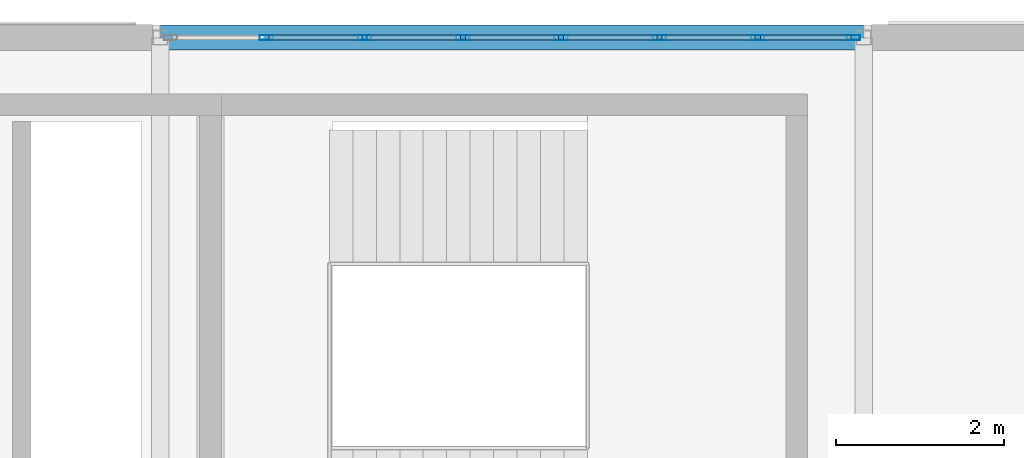
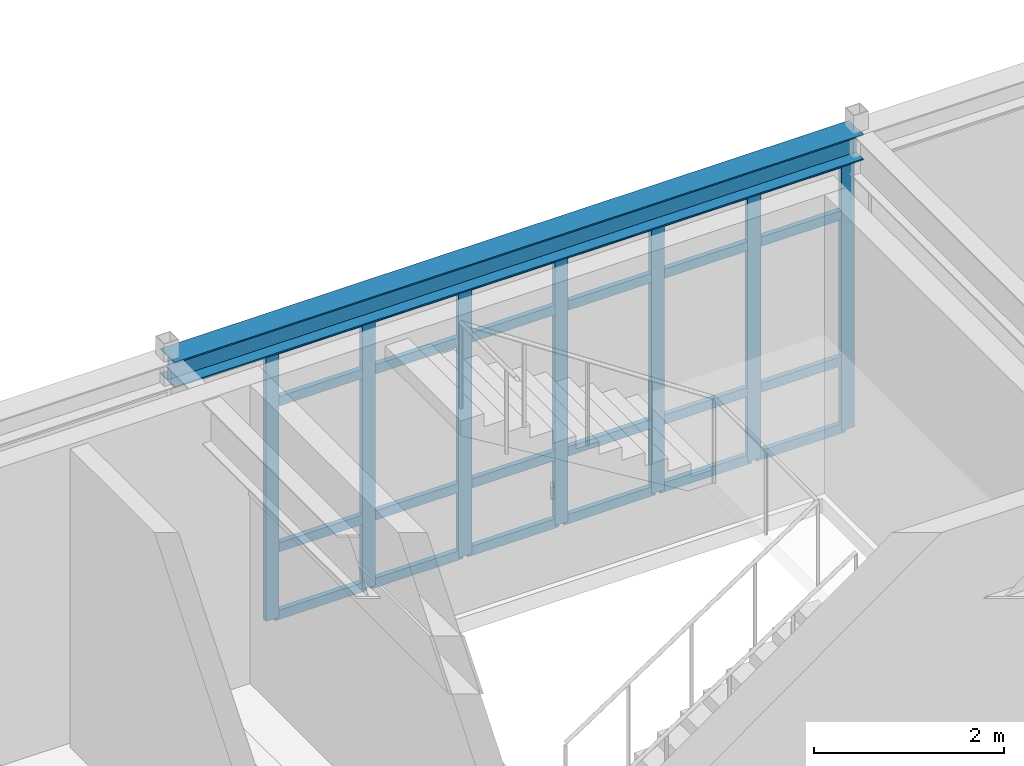
# One storey, part 27 of 65: 31 members, 1 beam, 1 element without a shape of its own.
"""IFC4 building model written with IfcOpenShell, lengths in metres."""

from ifc_helpers import new_model, si_unit, direction, frame, origin, origin_2d, place, context, subcontext, project, spatial, hollow_rectangle, i_section, extrude, material, layer, layer_set, material_profile, profile_set, type_object, element, aggregate, save


model = new_model("IFC4")

# Units and contexts
model_context = context("Model", 3, precision=1e-05, world=origin(), true_north=direction((0.0, 1.0)))
body_context = subcontext(model_context, "Body", "Model", "MODEL_VIEW")
ifc_project = project(units=[si_unit("LENGTHUNIT", "METRE"), si_unit("AREAUNIT", "SQUARE_METRE"), si_unit("VOLUMEUNIT", "CUBIC_METRE"), si_unit("PLANEANGLEUNIT", "RADIAN"), si_unit("MASSUNIT", "GRAM", prefix="KILO")], contexts=[model_context])

# Site, building, storey
site_placement = place(None, origin())
site = spatial("IfcSite", under=ifc_project, at=site_placement, CompositionType="ELEMENT")
building_placement = place(site_placement, origin())
building = spatial("IfcBuilding", under=site, at=building_placement, Name="Montecoro Central Library", CompositionType="ELEMENT")
storey_placement = place(building_placement, frame((0.0, 0.0, 17.340087890625)))
storey = spatial("IfcBuildingStorey", under=building, at=storey_placement, Name="L04", CompositionType="ELEMENT", Elevation=17.340087890625)

# Beam
ifc_material_1 = material(Name="Steel S355", Category="steel")
ifc_material_profile_1 = material_profile(ifc_material_1, i_section(OverallWidth=0.300048828125, OverallDepth=0.330078125, WebThickness=0.009521484375, FlangeThickness=0.0166015625, at=origin_2d()), Name="HEA 340")
ifc_profile_set_1 = profile_set([ifc_material_profile_1], Name="Steel S355")
beam_type = type_object("IfcBeamType", Name="BM-SP-HEA340", PredefinedType="SPANDREL", material=ifc_profile_set_1)
beam_placement = place(storey_placement, frame((100.0048828125, 119.0, 3.659912109375), z_axis=(1.0, 0.0, 0.0), x_axis=(0.0, 1.0, 0.0)))
element("IfcBeam", 1, at=beam_placement, inside=storey, type_object=beam_type, Name="V2-L04-BX-1314-R", PredefinedType="SPANDREL", context=body_context, shape_type="SweptSolid", body=[
    extrude(i_section(OverallWidth=0.300048828125, OverallDepth=0.330078125, WebThickness=0.009521484375, FlangeThickness=0.0166015625, at=origin_2d()), origin(), (0.0, 0.0, 1.0), 8.39013671875),
])

# Curtain wall, members
ifc_material_2 = material(Name="Bronze-anodised aluminium and low-E glazing", Category="aluminium")
ifc_layer = layer(ifc_material_2, 0.159912109375)
ifc_layer_set = layer_set([ifc_layer], Name="Bronze-anodised aluminium and low-E glazing")
curtain_wall_type = type_object("IfcCurtainWallType", Name="CWT-022", PredefinedType="NOTDEFINED", material=ifc_layer_set)
curtain_wall_placement = place(storey_placement, origin())
curtain_wall = element("IfcCurtainWall", 2, at=curtain_wall_placement, inside=storey, type_object=curtain_wall_type, Name="V2-L04-CW-N4", PredefinedType="NOTDEFINED")
ifc_material_3 = material(Name="Bronze-anodised aluminium", Category="aluminium")
ifc_material_profile_2 = material_profile(ifc_material_3, hollow_rectangle(XDim=0.06005859375, YDim=0.159912109375, WallThickness=0.00390625, at=origin_2d()), Name="CWM 160x60x4.0")
ifc_profile_set_2 = profile_set([ifc_material_profile_2], Name="Bronze-anodised aluminium")
member_type_1 = type_object("IfcMemberType", Name="CWM-BRZ-60", PredefinedType="MULLION", material=ifc_profile_set_2)
member_1_placement = place(storey_placement, frame((108.277099609375, 119.0, 0.0), z_axis=(0.0, 0.0, 1.0), x_axis=(0.0, -1.0, 0.0)))
member_1 = element("IfcMember", 3, at=member_1_placement, type_object=member_type_1, Name="CW-022 mullion 1", PredefinedType="MULLION", context=body_context, shape_type="SweptSolid", body=[
    extrude(hollow_rectangle(XDim=0.06005859375, YDim=0.159912109375, WallThickness=0.00390625, at=origin_2d()), origin(), (0.0, 0.0, 1.0), 3.47998046875),
])
member_2_placement = place(storey_placement, frame((107.133544921875, 119.0, 0.0), z_axis=(0.0, 0.0, 1.0), x_axis=(0.0, -1.0, 0.0)))
member_2 = element("IfcMember", 4, at=member_2_placement, type_object=member_type_1, Name="CW-022 mullion 2", PredefinedType="MULLION", context=body_context, shape_type="SweptSolid", body=[
    extrude(hollow_rectangle(XDim=0.06005859375, YDim=0.159912109375, WallThickness=0.00390625, at=origin_2d()), origin(), (0.0, 0.0, 1.0), 3.47998046875),
])
member_3_placement = place(storey_placement, frame((105.960205078125, 119.0, 0.0), z_axis=(0.0, 0.0, 1.0), x_axis=(0.0, -1.0, 0.0)))
member_3 = element("IfcMember", 5, at=member_3_placement, type_object=member_type_1, Name="CW-022 mullion 3", PredefinedType="MULLION", context=body_context, shape_type="SweptSolid", body=[
    extrude(hollow_rectangle(XDim=0.06005859375, YDim=0.159912109375, WallThickness=0.00390625, at=origin_2d()), origin(), (0.0, 0.0, 1.0), 3.47998046875),
])
member_4_placement = place(storey_placement, frame((104.78662109375, 119.0, 0.0), z_axis=(0.0, 0.0, 1.0), x_axis=(0.0, -1.0, 0.0)))
member_4 = element("IfcMember", 6, at=member_4_placement, type_object=member_type_1, Name="CW-022 mullion 4", PredefinedType="MULLION", context=body_context, shape_type="SweptSolid", body=[
    extrude(hollow_rectangle(XDim=0.06005859375, YDim=0.159912109375, WallThickness=0.00390625, at=origin_2d()), origin(), (0.0, 0.0, 1.0), 3.47998046875),
])
member_5_placement = place(storey_placement, frame((103.61328125, 119.0, 0.0), z_axis=(0.0, 0.0, 1.0), x_axis=(0.0, -1.0, 0.0)))
member_5 = element("IfcMember", 7, at=member_5_placement, type_object=member_type_1, Name="CW-022 mullion 5", PredefinedType="MULLION", context=body_context, shape_type="SweptSolid", body=[
    extrude(hollow_rectangle(XDim=0.06005859375, YDim=0.159912109375, WallThickness=0.00390625, at=origin_2d()), origin(), (0.0, 0.0, 1.0), 3.47998046875),
])
member_6_placement = place(storey_placement, frame((102.43994140625, 119.0, 0.0), z_axis=(0.0, 0.0, 1.0), x_axis=(0.0, -1.0, 0.0)))
member_6 = element("IfcMember", 8, at=member_6_placement, type_object=member_type_1, Name="CW-022 mullion 6", PredefinedType="MULLION", context=body_context, shape_type="SweptSolid", body=[
    extrude(hollow_rectangle(XDim=0.06005859375, YDim=0.159912109375, WallThickness=0.00390625, at=origin_2d()), origin(), (0.0, 0.0, 1.0), 3.47998046875),
])
member_7_placement = place(storey_placement, frame((101.266357421875, 119.0, 0.0), z_axis=(0.0, 0.0, 1.0), x_axis=(0.0, -1.0, 0.0)))
member_7 = element("IfcMember", 9, at=member_7_placement, type_object=member_type_1, Name="CW-022 mullion 7", PredefinedType="MULLION", context=body_context, shape_type="SweptSolid", body=[
    extrude(hollow_rectangle(XDim=0.06005859375, YDim=0.159912109375, WallThickness=0.00390625, at=origin_2d()), origin(), (0.0, 0.0, 1.0), 3.47998046875),
])
ifc_material_profile_3 = material_profile(ifc_material_3, hollow_rectangle(XDim=0.06005859375, YDim=0.1201171875, WallThickness=0.00390625, at=origin_2d()), Name="CWT 120x60x4.0")
ifc_profile_set_3 = profile_set([ifc_material_profile_3], Name="Bronze-anodised aluminium")
member_type_2 = type_object("IfcMemberType", Name="CWT-BRZ-60", PredefinedType="USERDEFINED", material=ifc_profile_set_3)
member_8_placement = place(storey_placement, frame((108.2470703125, 119.0, 0.030029296875), z_axis=(-1.0, 0.0, 0.0), x_axis=(0.0, -1.0, 0.0)))
member_8 = element("IfcMember", 10, at=member_8_placement, type_object=member_type_2, Name="CW-022 transom 1.1", ObjectType="TRANSOM", PredefinedType="USERDEFINED", context=body_context, shape_type="SweptSolid", body=[
    extrude(hollow_rectangle(XDim=0.06005859375, YDim=0.1201171875, WallThickness=0.00390625, at=origin_2d()), origin(), (0.0, 0.0, 1.0), 1.08349609375),
])
member_9_placement = place(storey_placement, frame((108.2470703125, 119.0, 0.89990234375), z_axis=(-1.0, 0.0, 0.0), x_axis=(0.0, -1.0, 0.0)))
member_9 = element("IfcMember", 11, at=member_9_placement, type_object=member_type_2, Name="CW-022 transom 1.2", ObjectType="TRANSOM", PredefinedType="USERDEFINED", context=body_context, shape_type="SweptSolid", body=[
    extrude(hollow_rectangle(XDim=0.06005859375, YDim=0.1201171875, WallThickness=0.00390625, at=origin_2d()), origin(), (0.0, 0.0, 1.0), 1.08349609375),
])
member_10_placement = place(storey_placement, frame((108.2470703125, 119.0, 2.780029296875), z_axis=(-1.0, 0.0, 0.0), x_axis=(0.0, -1.0, 0.0)))
member_10 = element("IfcMember", 12, at=member_10_placement, type_object=member_type_2, Name="CW-022 transom 1.3", ObjectType="TRANSOM", PredefinedType="USERDEFINED", context=body_context, shape_type="SweptSolid", body=[
    extrude(hollow_rectangle(XDim=0.06005859375, YDim=0.1201171875, WallThickness=0.00390625, at=origin_2d()), origin(), (0.0, 0.0, 1.0), 1.08349609375),
])
member_11_placement = place(storey_placement, frame((108.2470703125, 119.0, 3.449951171875), z_axis=(-1.0, 0.0, 0.0), x_axis=(0.0, -1.0, 0.0)))
member_11 = element("IfcMember", 13, at=member_11_placement, type_object=member_type_2, Name="CW-022 transom 1.4", ObjectType="TRANSOM", PredefinedType="USERDEFINED", context=body_context, shape_type="SweptSolid", body=[
    extrude(hollow_rectangle(XDim=0.06005859375, YDim=0.1201171875, WallThickness=0.00390625, at=origin_2d()), origin(), (0.0, 0.0, 1.0), 1.08349609375),
])
member_12_placement = place(storey_placement, frame((107.103515625, 119.0, 0.030029296875), z_axis=(-1.0, 0.0, 0.0), x_axis=(0.0, -1.0, 0.0)))
member_12 = element("IfcMember", 14, at=member_12_placement, type_object=member_type_2, Name="CW-022 transom 2.1", ObjectType="TRANSOM", PredefinedType="USERDEFINED", context=body_context, shape_type="SweptSolid", body=[
    extrude(hollow_rectangle(XDim=0.06005859375, YDim=0.1201171875, WallThickness=0.00390625, at=origin_2d()), origin(), (0.0, 0.0, 1.0), 1.11328125),
])
member_13_placement = place(storey_placement, frame((107.103515625, 119.0, 0.89990234375), z_axis=(-1.0, 0.0, 0.0), x_axis=(0.0, -1.0, 0.0)))
member_13 = element("IfcMember", 15, at=member_13_placement, type_object=member_type_2, Name="CW-022 transom 2.2", ObjectType="TRANSOM", PredefinedType="USERDEFINED", context=body_context, shape_type="SweptSolid", body=[
    extrude(hollow_rectangle(XDim=0.06005859375, YDim=0.1201171875, WallThickness=0.00390625, at=origin_2d()), origin(), (0.0, 0.0, 1.0), 1.11328125),
])
member_14_placement = place(storey_placement, frame((107.103515625, 119.0, 2.780029296875), z_axis=(-1.0, 0.0, 0.0), x_axis=(0.0, -1.0, 0.0)))
member_14 = element("IfcMember", 16, at=member_14_placement, type_object=member_type_2, Name="CW-022 transom 2.3", ObjectType="TRANSOM", PredefinedType="USERDEFINED", context=body_context, shape_type="SweptSolid", body=[
    extrude(hollow_rectangle(XDim=0.06005859375, YDim=0.1201171875, WallThickness=0.00390625, at=origin_2d()), origin(), (0.0, 0.0, 1.0), 1.11328125),
])
member_15_placement = place(storey_placement, frame((107.103515625, 119.0, 3.449951171875), z_axis=(-1.0, 0.0, 0.0), x_axis=(0.0, -1.0, 0.0)))
member_15 = element("IfcMember", 17, at=member_15_placement, type_object=member_type_2, Name="CW-022 transom 2.4", ObjectType="TRANSOM", PredefinedType="USERDEFINED", context=body_context, shape_type="SweptSolid", body=[
    extrude(hollow_rectangle(XDim=0.06005859375, YDim=0.1201171875, WallThickness=0.00390625, at=origin_2d()), origin(), (0.0, 0.0, 1.0), 1.11328125),
])
member_16_placement = place(storey_placement, frame((105.93017578125, 119.0, 0.030029296875), z_axis=(-1.0, 0.0, 0.0), x_axis=(0.0, -1.0, 0.0)))
member_16 = element("IfcMember", 18, at=member_16_placement, type_object=member_type_2, Name="CW-022 transom 3.1", ObjectType="TRANSOM", PredefinedType="USERDEFINED", context=body_context, shape_type="SweptSolid", body=[
    extrude(hollow_rectangle(XDim=0.06005859375, YDim=0.1201171875, WallThickness=0.00390625, at=origin_2d()), origin(), (0.0, 0.0, 1.0), 1.113525390625),
])
member_17_placement = place(storey_placement, frame((105.93017578125, 119.0, 0.89990234375), z_axis=(-1.0, 0.0, 0.0), x_axis=(0.0, -1.0, 0.0)))
member_17 = element("IfcMember", 19, at=member_17_placement, type_object=member_type_2, Name="CW-022 transom 3.2", ObjectType="TRANSOM", PredefinedType="USERDEFINED", context=body_context, shape_type="SweptSolid", body=[
    extrude(hollow_rectangle(XDim=0.06005859375, YDim=0.1201171875, WallThickness=0.00390625, at=origin_2d()), origin(), (0.0, 0.0, 1.0), 1.113525390625),
])
member_18_placement = place(storey_placement, frame((105.93017578125, 119.0, 2.780029296875), z_axis=(-1.0, 0.0, 0.0), x_axis=(0.0, -1.0, 0.0)))
member_18 = element("IfcMember", 20, at=member_18_placement, type_object=member_type_2, Name="CW-022 transom 3.3", ObjectType="TRANSOM", PredefinedType="USERDEFINED", context=body_context, shape_type="SweptSolid", body=[
    extrude(hollow_rectangle(XDim=0.06005859375, YDim=0.1201171875, WallThickness=0.00390625, at=origin_2d()), origin(), (0.0, 0.0, 1.0), 1.113525390625),
])
member_19_placement = place(storey_placement, frame((105.93017578125, 119.0, 3.449951171875), z_axis=(-1.0, 0.0, 0.0), x_axis=(0.0, -1.0, 0.0)))
member_19 = element("IfcMember", 21, at=member_19_placement, type_object=member_type_2, Name="CW-022 transom 3.4", ObjectType="TRANSOM", PredefinedType="USERDEFINED", context=body_context, shape_type="SweptSolid", body=[
    extrude(hollow_rectangle(XDim=0.06005859375, YDim=0.1201171875, WallThickness=0.00390625, at=origin_2d()), origin(), (0.0, 0.0, 1.0), 1.113525390625),
])
member_20_placement = place(storey_placement, frame((104.7568359375, 119.0, 0.030029296875), z_axis=(-1.0, 0.0, 0.0), x_axis=(0.0, -1.0, 0.0)))
member_20 = element("IfcMember", 22, at=member_20_placement, type_object=member_type_2, Name="CW-022 transom 4.1", ObjectType="TRANSOM", PredefinedType="USERDEFINED", context=body_context, shape_type="SweptSolid", body=[
    extrude(hollow_rectangle(XDim=0.06005859375, YDim=0.1201171875, WallThickness=0.00390625, at=origin_2d()), origin(), (0.0, 0.0, 1.0), 1.113525390625),
])
member_21_placement = place(storey_placement, frame((104.7568359375, 119.0, 0.89990234375), z_axis=(-1.0, 0.0, 0.0), x_axis=(0.0, -1.0, 0.0)))
member_21 = element("IfcMember", 23, at=member_21_placement, type_object=member_type_2, Name="CW-022 transom 4.2", ObjectType="TRANSOM", PredefinedType="USERDEFINED", context=body_context, shape_type="SweptSolid", body=[
    extrude(hollow_rectangle(XDim=0.06005859375, YDim=0.1201171875, WallThickness=0.00390625, at=origin_2d()), origin(), (0.0, 0.0, 1.0), 1.113525390625),
])
member_22_placement = place(storey_placement, frame((104.7568359375, 119.0, 2.780029296875), z_axis=(-1.0, 0.0, 0.0), x_axis=(0.0, -1.0, 0.0)))
member_22 = element("IfcMember", 24, at=member_22_placement, type_object=member_type_2, Name="CW-022 transom 4.3", ObjectType="TRANSOM", PredefinedType="USERDEFINED", context=body_context, shape_type="SweptSolid", body=[
    extrude(hollow_rectangle(XDim=0.06005859375, YDim=0.1201171875, WallThickness=0.00390625, at=origin_2d()), origin(), (0.0, 0.0, 1.0), 1.113525390625),
])
member_23_placement = place(storey_placement, frame((104.7568359375, 119.0, 3.449951171875), z_axis=(-1.0, 0.0, 0.0), x_axis=(0.0, -1.0, 0.0)))
member_23 = element("IfcMember", 25, at=member_23_placement, type_object=member_type_2, Name="CW-022 transom 4.4", ObjectType="TRANSOM", PredefinedType="USERDEFINED", context=body_context, shape_type="SweptSolid", body=[
    extrude(hollow_rectangle(XDim=0.06005859375, YDim=0.1201171875, WallThickness=0.00390625, at=origin_2d()), origin(), (0.0, 0.0, 1.0), 1.113525390625),
])
member_24_placement = place(storey_placement, frame((103.583251953125, 119.0, 0.030029296875), z_axis=(-1.0, 0.0, 0.0), x_axis=(0.0, -1.0, 0.0)))
member_24 = element("IfcMember", 26, at=member_24_placement, type_object=member_type_2, Name="CW-022 transom 5.1", ObjectType="TRANSOM", PredefinedType="USERDEFINED", context=body_context, shape_type="SweptSolid", body=[
    extrude(hollow_rectangle(XDim=0.06005859375, YDim=0.1201171875, WallThickness=0.00390625, at=origin_2d()), origin(), (0.0, 0.0, 1.0), 1.11328125),
])
member_25_placement = place(storey_placement, frame((103.583251953125, 119.0, 0.89990234375), z_axis=(-1.0, 0.0, 0.0), x_axis=(0.0, -1.0, 0.0)))
member_25 = element("IfcMember", 27, at=member_25_placement, type_object=member_type_2, Name="CW-022 transom 5.2", ObjectType="TRANSOM", PredefinedType="USERDEFINED", context=body_context, shape_type="SweptSolid", body=[
    extrude(hollow_rectangle(XDim=0.06005859375, YDim=0.1201171875, WallThickness=0.00390625, at=origin_2d()), origin(), (0.0, 0.0, 1.0), 1.11328125),
])
member_26_placement = place(storey_placement, frame((103.583251953125, 119.0, 2.780029296875), z_axis=(-1.0, 0.0, 0.0), x_axis=(0.0, -1.0, 0.0)))
member_26 = element("IfcMember", 28, at=member_26_placement, type_object=member_type_2, Name="CW-022 transom 5.3", ObjectType="TRANSOM", PredefinedType="USERDEFINED", context=body_context, shape_type="SweptSolid", body=[
    extrude(hollow_rectangle(XDim=0.06005859375, YDim=0.1201171875, WallThickness=0.00390625, at=origin_2d()), origin(), (0.0, 0.0, 1.0), 1.11328125),
])
member_27_placement = place(storey_placement, frame((103.583251953125, 119.0, 3.449951171875), z_axis=(-1.0, 0.0, 0.0), x_axis=(0.0, -1.0, 0.0)))
member_27 = element("IfcMember", 29, at=member_27_placement, type_object=member_type_2, Name="CW-022 transom 5.4", ObjectType="TRANSOM", PredefinedType="USERDEFINED", context=body_context, shape_type="SweptSolid", body=[
    extrude(hollow_rectangle(XDim=0.06005859375, YDim=0.1201171875, WallThickness=0.00390625, at=origin_2d()), origin(), (0.0, 0.0, 1.0), 1.11328125),
])
member_28_placement = place(storey_placement, frame((102.409912109375, 119.0, 0.030029296875), z_axis=(-1.0, 0.0, 0.0), x_axis=(0.0, -1.0, 0.0)))
member_28 = element("IfcMember", 30, at=member_28_placement, type_object=member_type_2, Name="CW-022 transom 6.1", ObjectType="TRANSOM", PredefinedType="USERDEFINED", context=body_context, shape_type="SweptSolid", body=[
    extrude(hollow_rectangle(XDim=0.06005859375, YDim=0.1201171875, WallThickness=0.00390625, at=origin_2d()), origin(), (0.0, 0.0, 1.0), 1.113525390625),
])
member_29_placement = place(storey_placement, frame((102.409912109375, 119.0, 0.89990234375), z_axis=(-1.0, 0.0, 0.0), x_axis=(0.0, -1.0, 0.0)))
member_29 = element("IfcMember", 31, at=member_29_placement, type_object=member_type_2, Name="CW-022 transom 6.2", ObjectType="TRANSOM", PredefinedType="USERDEFINED", context=body_context, shape_type="SweptSolid", body=[
    extrude(hollow_rectangle(XDim=0.06005859375, YDim=0.1201171875, WallThickness=0.00390625, at=origin_2d()), origin(), (0.0, 0.0, 1.0), 1.113525390625),
])
member_30_placement = place(storey_placement, frame((102.409912109375, 119.0, 2.780029296875), z_axis=(-1.0, 0.0, 0.0), x_axis=(0.0, -1.0, 0.0)))
member_30 = element("IfcMember", 32, at=member_30_placement, type_object=member_type_2, Name="CW-022 transom 6.3", ObjectType="TRANSOM", PredefinedType="USERDEFINED", context=body_context, shape_type="SweptSolid", body=[
    extrude(hollow_rectangle(XDim=0.06005859375, YDim=0.1201171875, WallThickness=0.00390625, at=origin_2d()), origin(), (0.0, 0.0, 1.0), 1.113525390625),
])
member_31_placement = place(storey_placement, frame((102.409912109375, 119.0, 3.449951171875), z_axis=(-1.0, 0.0, 0.0), x_axis=(0.0, -1.0, 0.0)))
member_31 = element("IfcMember", 33, at=member_31_placement, type_object=member_type_2, Name="CW-022 transom 6.4", ObjectType="TRANSOM", PredefinedType="USERDEFINED", context=body_context, shape_type="SweptSolid", body=[
    extrude(hollow_rectangle(XDim=0.06005859375, YDim=0.1201171875, WallThickness=0.00390625, at=origin_2d()), origin(), (0.0, 0.0, 1.0), 1.113525390625),
])
aggregate(curtain_wall, [member_1, member_2, member_3, member_4, member_5, member_6, member_7, member_8, member_9, member_10, member_11, member_12, member_13, member_14, member_15, member_16, member_17, member_18, member_19, member_20, member_21, member_22, member_23, member_24, member_25, member_26, member_27, member_28, member_29, member_30, member_31])

save(model, "model.ifc")
